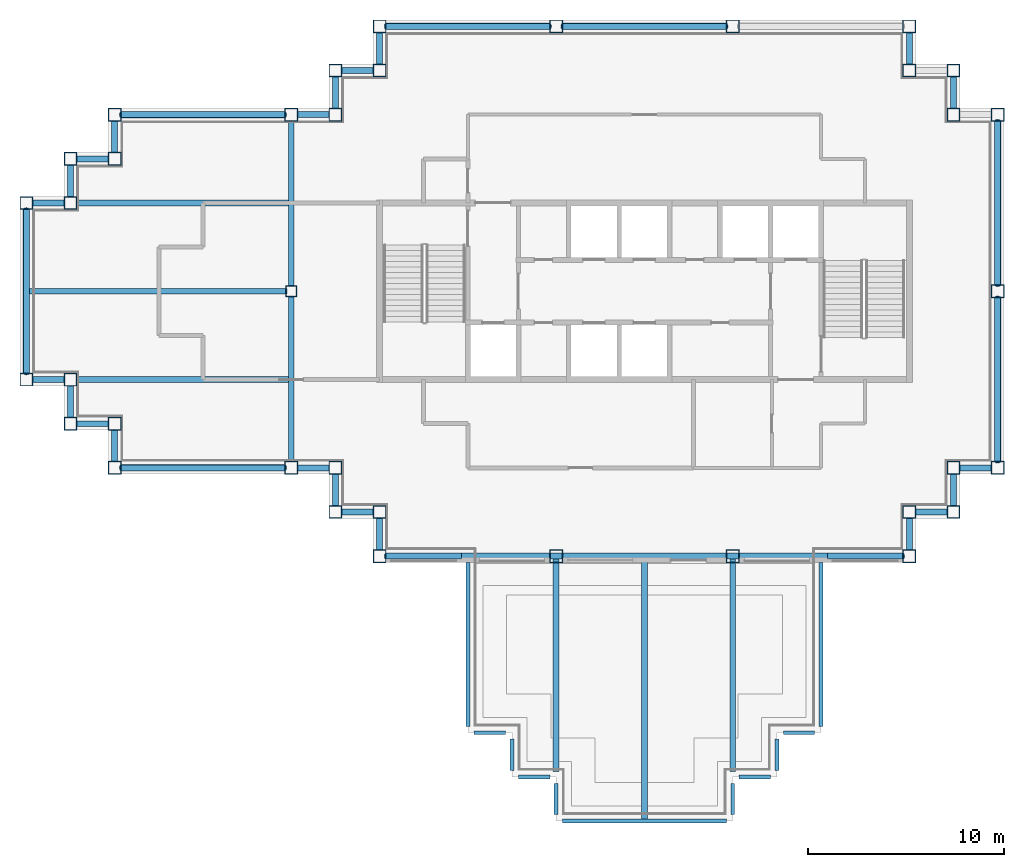
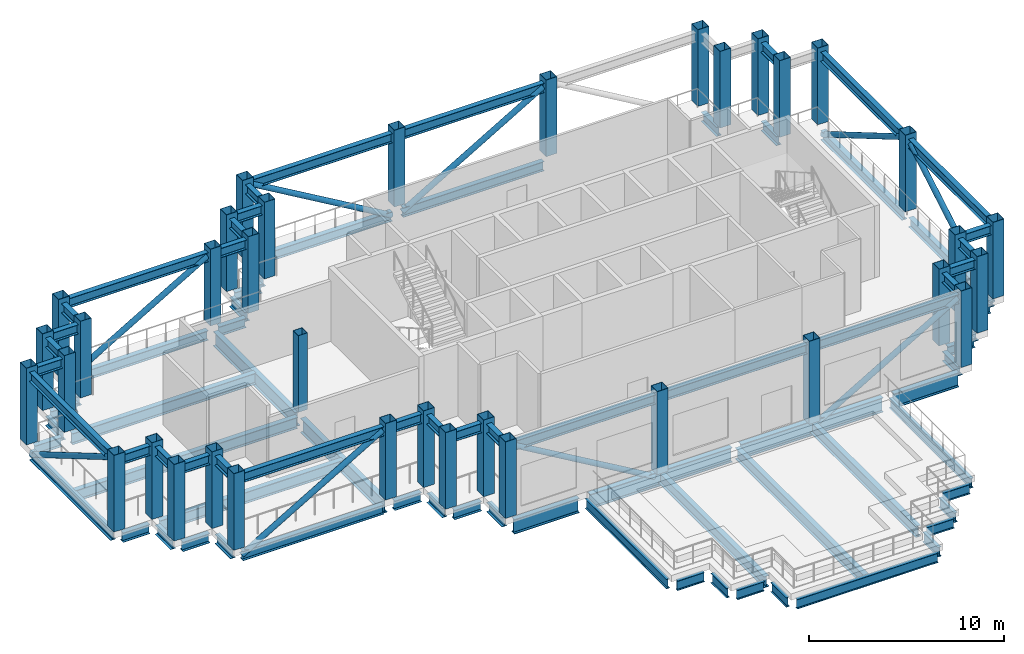
# One storey, part 1 of 10: 83 beams, 36 columns, 9 members.
"""IFC4 building model written with IfcOpenShell, lengths in metres."""

from ifc_helpers import new_model, si_unit, direction, frame, origin, origin_2d, place, context, subcontext, project, spatial, hollow_rectangle, hollow_circle, i_section, extrude, material, material_profile, profile_set, type_object, element, save


model = new_model("IFC4")

# Units and contexts
model_context = context("Model", 3, precision=1e-05, world=origin(), true_north=direction((0.0, 1.0)))
body_context = subcontext(model_context, "Body", "Model", "MODEL_VIEW")
ifc_project = project(units=[si_unit("LENGTHUNIT", "METRE"), si_unit("AREAUNIT", "SQUARE_METRE"), si_unit("VOLUMEUNIT", "CUBIC_METRE"), si_unit("PLANEANGLEUNIT", "RADIAN"), si_unit("MASSUNIT", "GRAM", prefix="KILO")], contexts=[model_context])

# Site, building, storey
site_placement = place(None, origin())
site = spatial("IfcSite", under=ifc_project, at=site_placement, CompositionType="ELEMENT")
building_placement = place(site_placement, origin())
building = spatial("IfcBuilding", under=site, at=building_placement, Name="Caravel Reach Hotel and Residences", CompositionType="ELEMENT")
storey_placement = place(building_placement, frame((0.0, 0.0, 233.10009765625)))
storey = spatial("IfcBuildingStorey", under=building, at=storey_placement, Name="L59", CompositionType="ELEMENT", Elevation=233.10009765625)

# Columns
ifc_material_1 = material(Name="Concrete-filled steel tube Q390B with Concrete C60 infill", Category="concrete")
ifc_material_profile_1 = material_profile(ifc_material_1, hollow_rectangle(XDim=0.550048828125, YDim=0.550048828125, WallThickness=0.01806640625, at=origin_2d()), Name="RHS 550x550x18")
ifc_profile_set_1 = profile_set([ifc_material_profile_1], Name="Concrete-filled steel tube Q390B with Concrete C60 infill")
column_type_1 = type_object("IfcColumnType", Name="CFT 550x550 Q390B C60", PredefinedType="COLUMN", material=ifc_profile_set_1)
column_placement = place(storey_placement, frame((13.5, 27.0, 0.0), z_axis=(0.0, 0.0, 1.0), x_axis=(1.0, 0.0, 0.0)))
element("IfcColumn", 1, at=column_placement, inside=storey, type_object=column_type_1, Name="C18 column", PredefinedType="COLUMN", context=body_context, shape_type="SweptSolid", body=[
    extrude(hollow_rectangle(XDim=0.550048828125, YDim=0.550048828125, WallThickness=0.01806640625, at=origin_2d()), origin(), (0.0, 0.0, 1.0), 4.7998046875),
])
ifc_material_2 = material(Name="Concrete-filled steel tube Q390B with Concrete C60 infill", Category="concrete")
ifc_material_profile_2 = material_profile(ifc_material_2, hollow_rectangle(XDim=0.64990234375, YDim=0.64990234375, WallThickness=0.02099609375, at=origin_2d()), Name="RHS 650x650x21")
ifc_profile_set_2 = profile_set([ifc_material_profile_2], Name="Concrete-filled steel tube Q390B with Concrete C60 infill")
column_type_2 = type_object("IfcColumnType", Name="CFT 650x650 Q390B C60", PredefinedType="COLUMN", material=ifc_profile_set_2)
for number, where, z_axis, x_axis, name in (
    (2, (15.75, 18.0, 0.0), (0.0, 0.0, 1.0), (1.0, 0.0, 0.0), "C15 column"),
    (3, (15.75, 15.75, 0.0), (0.0, 0.0, 1.0), (1.0, 0.0, 0.0), "C15 column"),
    (4, (18.0, 15.75, 0.0), (0.0, 0.0, 1.0), (1.0, 0.0, 0.0), "C15 column"),
    (5, (18.0, 13.5, 0.0), (0.0, 0.0, 1.0), (1.0, 0.0, 0.0), "C15 column"),
):
    element("IfcColumn", number, at=place(storey_placement, frame(where, z_axis=z_axis, x_axis=x_axis)), inside=storey, type_object=column_type_2, Name=name, PredefinedType="COLUMN", context=body_context, shape_type="SweptSolid", body=[
        extrude(hollow_rectangle(XDim=0.64990234375, YDim=0.64990234375, WallThickness=0.02099609375, at=origin_2d()), origin(), (0.0, 0.0, 1.0), 4.7998046875),
    ])
for number, where, z_axis, x_axis, name in (
    (6, (27.0, 13.5, -0.400146484375), (0.0, 0.0, 1.0), (1.0, 0.0, 0.0), "C15 column"),
    (7, (36.0, 13.5, -0.400146484375), (0.0, 0.0, 1.0), (1.0, 0.0, 0.0), "C15 column"),
):
    element("IfcColumn", number, at=place(storey_placement, frame(where, z_axis=z_axis, x_axis=x_axis)), inside=storey, type_object=column_type_2, Name=name, PredefinedType="COLUMN", context=body_context, shape_type="SweptSolid", body=[
        extrude(hollow_rectangle(XDim=0.64990234375, YDim=0.64990234375, WallThickness=0.02099609375, at=origin_2d()), origin(), (0.0, 0.0, 1.0), 5.199951171875),
    ])
for number, where, z_axis, x_axis, name in (
    (8, (45.0, 13.5, 0.0), (0.0, 0.0, 1.0), (1.0, 0.0, 0.0), "C15 column"),
    (9, (45.0, 15.75, 0.0), (0.0, 0.0, 1.0), (1.0, 0.0, 0.0), "C15 column"),
    (10, (47.25, 15.75, 0.0), (0.0, 0.0, 1.0), (1.0, 0.0, 0.0), "C15 column"),
    (11, (47.25, 18.0, 0.0), (0.0, 0.0, 1.0), (1.0, 0.0, 0.0), "C15 column"),
    (12, (49.5, 18.0, 0.0), (0.0, 0.0, 1.0), (1.0, 0.0, 0.0), "C15 column"),
    (13, (49.5, 27.0, 0.0), (0.0, 0.0, 1.0), (1.0, 0.0, 0.0), "C15 column"),
    (14, (49.5, 36.0, 0.0), (0.0, 0.0, 1.0), (1.0, 0.0, 0.0), "C15 column"),
    (15, (47.25, 36.0, 0.0), (0.0, 0.0, 1.0), (1.0, 0.0, 0.0), "C15 column"),
    (16, (47.25, 38.25, 0.0), (0.0, 0.0, 1.0), (1.0, 0.0, 0.0), "C15 column"),
    (17, (45.0, 38.25, 0.0), (0.0, 0.0, 1.0), (1.0, 0.0, 0.0), "C15 column"),
    (18, (45.0, 40.5, 0.0), (0.0, 0.0, 1.0), (1.0, 0.0, 0.0), "C15 column"),
    (19, (36.0, 40.5, 0.0), (0.0, 0.0, 1.0), (1.0, 0.0, 0.0), "C15 column"),
    (20, (27.0, 40.5, 0.0), (0.0, 0.0, 1.0), (1.0, 0.0, 0.0), "C15 column"),
    (21, (18.0, 40.5, 0.0), (0.0, 0.0, 1.0), (1.0, 0.0, 0.0), "C15 column"),
    (22, (18.0, 38.25, 0.0), (0.0, 0.0, 1.0), (1.0, 0.0, 0.0), "C15 column"),
    (23, (15.75, 38.25, 0.0), (0.0, 0.0, 1.0), (1.0, 0.0, 0.0), "C15 column"),
    (24, (15.75, 36.0, 0.0), (0.0, 0.0, 1.0), (1.0, 0.0, 0.0), "C15 column"),
    (25, (13.5, 36.0, 0.0), (0.0, 0.0, 1.0), (1.0, 0.0, 0.0), "C15 column"),
    (26, (4.5, 36.0, 0.0), (0.0, 0.0, 1.0), (1.0, 0.0, 0.0), "C15 column"),
    (27, (4.5, 33.75, 0.0), (0.0, 0.0, 1.0), (1.0, 0.0, 0.0), "C15 column"),
    (28, (2.25, 33.75, 0.0), (0.0, 0.0, 1.0), (1.0, 0.0, 0.0), "C15 column"),
    (29, (2.25, 31.5, 0.0), (0.0, 0.0, 1.0), (1.0, 0.0, 0.0), "C15 column"),
    (30, (0.0, 31.5, 0.0), (0.0, 0.0, 1.0), (1.0, 0.0, 0.0), "C15 column"),
    (31, (0.0, 22.5, 0.0), (0.0, 0.0, 1.0), (1.0, 0.0, 0.0), "C15 column"),
    (32, (2.25, 22.5, 0.0), (0.0, 0.0, 1.0), (1.0, 0.0, 0.0), "C15 column"),
    (33, (2.25, 20.25, 0.0), (0.0, 0.0, 1.0), (1.0, 0.0, 0.0), "C15 column"),
    (34, (4.5, 20.25, 0.0), (0.0, 0.0, 1.0), (1.0, 0.0, 0.0), "C15 column"),
    (35, (4.5, 18.0, 0.0), (0.0, 0.0, 1.0), (1.0, 0.0, 0.0), "C15 column"),
    (36, (13.5, 18.0, 0.0), (0.0, 0.0, 1.0), (1.0, 0.0, 0.0), "C15 column"),
):
    element("IfcColumn", number, at=place(storey_placement, frame(where, z_axis=z_axis, x_axis=x_axis)), inside=storey, type_object=column_type_2, Name=name, PredefinedType="COLUMN", context=body_context, shape_type="SweptSolid", body=[
        extrude(hollow_rectangle(XDim=0.64990234375, YDim=0.64990234375, WallThickness=0.02099609375, at=origin_2d()), origin(), (0.0, 0.0, 1.0), 4.7998046875),
    ])

# Beams
ifc_material_3 = material(Name="Structural steel Q355B", Category="steel")
ifc_material_profile_3 = material_profile(ifc_material_3, i_section(OverallWidth=0.300048828125, OverallDepth=0.587890625, WebThickness=0.011962890625, FlangeThickness=0.02001953125, FilletRadius=0.012939453125, at=origin_2d()), Name="HM 588x300x12x20")
ifc_profile_set_3 = profile_set([ifc_material_profile_3], Name="Structural steel Q355B")
beam_type_1 = type_object("IfcBeamType", Name="Beam HM 588x300x12x20", PredefinedType="BEAM", material=ifc_profile_set_3)
for number, where, z_axis, x_axis, name in (
    (37, (15.75, 17.675048828125, -0.694091796875), (0.0, -1.0, 0.0), (1.0, 0.0, 0.0), "Belt truss BT-L59 bottom chord"),
    (38, (15.75, 17.675048828125, 4.205810546875), (0.0, -1.0, 0.0), (1.0, 0.0, 0.0), "Belt truss BT-L59 top chord"),
    (39, (16.074951171875, 15.75, -0.694091796875), (1.0, 0.0, 0.0), (0.0, 1.0, 0.0), "Belt truss BT-L59 bottom chord"),
    (40, (16.074951171875, 15.75, 4.205810546875), (1.0, 0.0, 0.0), (0.0, 1.0, 0.0), "Belt truss BT-L59 top chord"),
    (41, (18.0, 15.425048828125, -0.694091796875), (0.0, -1.0, 0.0), (1.0, 0.0, 0.0), "Belt truss BT-L59 bottom chord"),
    (42, (18.0, 15.425048828125, 4.205810546875), (0.0, -1.0, 0.0), (1.0, 0.0, 0.0), "Belt truss BT-L59 top chord"),
):
    element("IfcBeam", number, at=place(storey_placement, frame(where, z_axis=z_axis, x_axis=x_axis)), inside=storey, type_object=beam_type_1, Name=name, PredefinedType="BEAM", context=body_context, shape_type="SweptSolid", body=[
        extrude(i_section(OverallWidth=0.300048828125, OverallDepth=0.587890625, WebThickness=0.011962890625, FlangeThickness=0.02001953125, FilletRadius=0.012939453125, at=origin_2d()), origin(), (0.0, 0.0, 1.0), 1.60009765625),
    ])
for number, where, z_axis, x_axis, name in (
    (43, (18.324951171875, 13.5, 4.205810546875), (1.0, 0.0, 0.0), (0.0, 1.0, 0.0), "Belt truss BT-L59 top chord"),
    (44, (27.324951171875, 13.5, 4.205810546875), (1.0, 0.0, 0.0), (0.0, 1.0, 0.0), "Belt truss BT-L59 top chord"),
    (45, (36.324951171875, 13.5, 4.205810546875), (1.0, 0.0, 0.0), (0.0, 1.0, 0.0), "Belt truss BT-L59 top chord"),
):
    element("IfcBeam", number, at=place(storey_placement, frame(where, z_axis=z_axis, x_axis=x_axis)), inside=storey, type_object=beam_type_1, Name=name, PredefinedType="BEAM", context=body_context, shape_type="SweptSolid", body=[
        extrude(i_section(OverallWidth=0.300048828125, OverallDepth=0.587890625, WebThickness=0.011962890625, FlangeThickness=0.02001953125, FilletRadius=0.012939453125, at=origin_2d()), origin(), (0.0, 0.0, 1.0), 8.35009765625),
    ])
for number, where, z_axis, x_axis, name in (
    (46, (45.0, 13.824951171875, -0.694091796875), (0.0, 1.0, 0.0), (-1.0, 0.0, 0.0), "Belt truss BT-L59 bottom chord"),
    (47, (45.0, 13.824951171875, 4.205810546875), (0.0, 1.0, 0.0), (-1.0, 0.0, 0.0), "Belt truss BT-L59 top chord"),
    (48, (45.324951171875, 15.75, -0.694091796875), (1.0, 0.0, 0.0), (0.0, 1.0, 0.0), "Belt truss BT-L59 bottom chord"),
    (49, (45.324951171875, 15.75, 4.205810546875), (1.0, 0.0, 0.0), (0.0, 1.0, 0.0), "Belt truss BT-L59 top chord"),
    (50, (47.25, 16.074951171875, -0.694091796875), (0.0, 1.0, 0.0), (-1.0, 0.0, 0.0), "Belt truss BT-L59 bottom chord"),
    (51, (47.25, 16.074951171875, 4.205810546875), (0.0, 1.0, 0.0), (-1.0, 0.0, 0.0), "Belt truss BT-L59 top chord"),
    (52, (47.574951171875, 18.0, -0.694091796875), (1.0, 0.0, 0.0), (0.0, 1.0, 0.0), "Belt truss BT-L59 bottom chord"),
    (53, (47.574951171875, 18.0, 4.205810546875), (1.0, 0.0, 0.0), (0.0, 1.0, 0.0), "Belt truss BT-L59 top chord"),
):
    element("IfcBeam", number, at=place(storey_placement, frame(where, z_axis=z_axis, x_axis=x_axis)), inside=storey, type_object=beam_type_1, Name=name, PredefinedType="BEAM", context=body_context, shape_type="SweptSolid", body=[
        extrude(i_section(OverallWidth=0.300048828125, OverallDepth=0.587890625, WebThickness=0.011962890625, FlangeThickness=0.02001953125, FilletRadius=0.012939453125, at=origin_2d()), origin(), (0.0, 0.0, 1.0), 1.60009765625),
    ])
for number, where, z_axis, x_axis, name in (
    (54, (49.5, 18.324951171875, -0.694091796875), (0.0, 1.0, 0.0), (-1.0, 0.0, 0.0), "Belt truss BT-L59 bottom chord"),
    (55, (49.5, 18.324951171875, 4.205810546875), (0.0, 1.0, 0.0), (-1.0, 0.0, 0.0), "Belt truss BT-L59 top chord"),
    (56, (49.5, 27.324951171875, -0.694091796875), (0.0, 1.0, 0.0), (-1.0, 0.0, 0.0), "Belt truss BT-L59 bottom chord"),
    (57, (49.5, 27.324951171875, 4.205810546875), (0.0, 1.0, 0.0), (-1.0, 0.0, 0.0), "Belt truss BT-L59 top chord"),
):
    element("IfcBeam", number, at=place(storey_placement, frame(where, z_axis=z_axis, x_axis=x_axis)), inside=storey, type_object=beam_type_1, Name=name, PredefinedType="BEAM", context=body_context, shape_type="SweptSolid", body=[
        extrude(i_section(OverallWidth=0.300048828125, OverallDepth=0.587890625, WebThickness=0.011962890625, FlangeThickness=0.02001953125, FilletRadius=0.012939453125, at=origin_2d()), origin(), (0.0, 0.0, 1.0), 8.35009765625),
    ])
for number, where, z_axis, x_axis, name in (
    (58, (47.25, 36.324951171875, -0.694091796875), (0.0, 1.0, 0.0), (-1.0, 0.0, 0.0), "Belt truss BT-L59 bottom chord"),
    (59, (47.25, 36.324951171875, 4.205810546875), (0.0, 1.0, 0.0), (-1.0, 0.0, 0.0), "Belt truss BT-L59 top chord"),
    (60, (45.0, 38.574951171875, -0.694091796875), (0.0, 1.0, 0.0), (-1.0, 0.0, 0.0), "Belt truss BT-L59 bottom chord"),
):
    element("IfcBeam", number, at=place(storey_placement, frame(where, z_axis=z_axis, x_axis=x_axis)), inside=storey, type_object=beam_type_1, Name=name, PredefinedType="BEAM", context=body_context, shape_type="SweptSolid", body=[
        extrude(i_section(OverallWidth=0.300048828125, OverallDepth=0.587890625, WebThickness=0.011962890625, FlangeThickness=0.02001953125, FilletRadius=0.012939453125, at=origin_2d()), origin(), (0.0, 0.0, 1.0), 1.60009765625),
    ])
for number, where, z_axis, x_axis, name in (
    (61, (35.675048828125, 40.5, -0.694091796875), (-1.0, 0.0, 0.0), (0.0, -1.0, 0.0), "Belt truss BT-L59 bottom chord"),
    (62, (35.675048828125, 40.5, 4.205810546875), (-1.0, 0.0, 0.0), (0.0, -1.0, 0.0), "Belt truss BT-L59 top chord"),
    (63, (26.675048828125, 40.5, -0.694091796875), (-1.0, 0.0, 0.0), (0.0, -1.0, 0.0), "Belt truss BT-L59 bottom chord"),
    (64, (26.675048828125, 40.5, 4.205810546875), (-1.0, 0.0, 0.0), (0.0, -1.0, 0.0), "Belt truss BT-L59 top chord"),
):
    element("IfcBeam", number, at=place(storey_placement, frame(where, z_axis=z_axis, x_axis=x_axis)), inside=storey, type_object=beam_type_1, Name=name, PredefinedType="BEAM", context=body_context, shape_type="SweptSolid", body=[
        extrude(i_section(OverallWidth=0.300048828125, OverallDepth=0.587890625, WebThickness=0.011962890625, FlangeThickness=0.02001953125, FilletRadius=0.012939453125, at=origin_2d()), origin(), (0.0, 0.0, 1.0), 8.35009765625),
    ])
for number, where, z_axis, x_axis, name in (
    (65, (18.0, 40.175048828125, -0.694091796875), (0.0, -1.0, 0.0), (1.0, 0.0, 0.0), "Belt truss BT-L59 bottom chord"),
    (66, (18.0, 40.175048828125, 4.205810546875), (0.0, -1.0, 0.0), (1.0, 0.0, 0.0), "Belt truss BT-L59 top chord"),
    (67, (17.675048828125, 38.25, -0.694091796875), (-1.0, 0.0, 0.0), (0.0, -1.0, 0.0), "Belt truss BT-L59 bottom chord"),
    (68, (17.675048828125, 38.25, 4.205810546875), (-1.0, 0.0, 0.0), (0.0, -1.0, 0.0), "Belt truss BT-L59 top chord"),
    (69, (15.75, 37.925048828125, -0.694091796875), (0.0, -1.0, 0.0), (1.0, 0.0, 0.0), "Belt truss BT-L59 bottom chord"),
    (70, (15.75, 37.925048828125, 4.205810546875), (0.0, -1.0, 0.0), (1.0, 0.0, 0.0), "Belt truss BT-L59 top chord"),
    (71, (15.425048828125, 36.0, -0.694091796875), (-1.0, 0.0, 0.0), (0.0, -1.0, 0.0), "Belt truss BT-L59 bottom chord"),
    (72, (15.425048828125, 36.0, 4.205810546875), (-1.0, 0.0, 0.0), (0.0, -1.0, 0.0), "Belt truss BT-L59 top chord"),
):
    element("IfcBeam", number, at=place(storey_placement, frame(where, z_axis=z_axis, x_axis=x_axis)), inside=storey, type_object=beam_type_1, Name=name, PredefinedType="BEAM", context=body_context, shape_type="SweptSolid", body=[
        extrude(i_section(OverallWidth=0.300048828125, OverallDepth=0.587890625, WebThickness=0.011962890625, FlangeThickness=0.02001953125, FilletRadius=0.012939453125, at=origin_2d()), origin(), (0.0, 0.0, 1.0), 1.60009765625),
    ])
for number, where, z_axis, x_axis, name in (
    (73, (13.175048828125, 36.0, -0.694091796875), (-1.0, 0.0, 0.0), (0.0, -1.0, 0.0), "Belt truss BT-L59 bottom chord"),
    (74, (13.175048828125, 36.0, 4.205810546875), (-1.0, 0.0, 0.0), (0.0, -1.0, 0.0), "Belt truss BT-L59 top chord"),
):
    element("IfcBeam", number, at=place(storey_placement, frame(where, z_axis=z_axis, x_axis=x_axis)), inside=storey, type_object=beam_type_1, Name=name, PredefinedType="BEAM", context=body_context, shape_type="SweptSolid", body=[
        extrude(i_section(OverallWidth=0.300048828125, OverallDepth=0.587890625, WebThickness=0.011962890625, FlangeThickness=0.02001953125, FilletRadius=0.012939453125, at=origin_2d()), origin(), (0.0, 0.0, 1.0), 8.35009765625),
    ])
for number, where, z_axis, x_axis, name in (
    (75, (4.5, 35.675048828125, -0.694091796875), (0.0, -1.0, 0.0), (1.0, 0.0, 0.0), "Belt truss BT-L59 bottom chord"),
    (76, (4.5, 35.675048828125, 4.205810546875), (0.0, -1.0, 0.0), (1.0, 0.0, 0.0), "Belt truss BT-L59 top chord"),
    (77, (4.175048828125, 33.75, -0.694091796875), (-1.0, 0.0, 0.0), (0.0, -1.0, 0.0), "Belt truss BT-L59 bottom chord"),
    (78, (4.175048828125, 33.75, 4.205810546875), (-1.0, 0.0, 0.0), (0.0, -1.0, 0.0), "Belt truss BT-L59 top chord"),
    (79, (2.25, 33.425048828125, -0.694091796875), (0.0, -1.0, 0.0), (1.0, 0.0, 0.0), "Belt truss BT-L59 bottom chord"),
    (80, (2.25, 33.425048828125, 4.205810546875), (0.0, -1.0, 0.0), (1.0, 0.0, 0.0), "Belt truss BT-L59 top chord"),
    (81, (1.925048828125, 31.5, -0.694091796875), (-1.0, 0.0, 0.0), (0.0, -1.0, 0.0), "Belt truss BT-L59 bottom chord"),
    (82, (1.925048828125, 31.5, 4.205810546875), (-1.0, 0.0, 0.0), (0.0, -1.0, 0.0), "Belt truss BT-L59 top chord"),
):
    element("IfcBeam", number, at=place(storey_placement, frame(where, z_axis=z_axis, x_axis=x_axis)), inside=storey, type_object=beam_type_1, Name=name, PredefinedType="BEAM", context=body_context, shape_type="SweptSolid", body=[
        extrude(i_section(OverallWidth=0.300048828125, OverallDepth=0.587890625, WebThickness=0.011962890625, FlangeThickness=0.02001953125, FilletRadius=0.012939453125, at=origin_2d()), origin(), (0.0, 0.0, 1.0), 1.60009765625),
    ])
for number, where, z_axis, x_axis, name in (
    (83, (0.0, 31.175048828125, -0.694091796875), (0.0, -1.0, 0.0), (1.0, 0.0, 0.0), "Belt truss BT-L59 bottom chord"),
    (84, (0.0, 31.175048828125, 4.205810546875), (0.0, -1.0, 0.0), (1.0, 0.0, 0.0), "Belt truss BT-L59 top chord"),
):
    element("IfcBeam", number, at=place(storey_placement, frame(where, z_axis=z_axis, x_axis=x_axis)), inside=storey, type_object=beam_type_1, Name=name, PredefinedType="BEAM", context=body_context, shape_type="SweptSolid", body=[
        extrude(i_section(OverallWidth=0.300048828125, OverallDepth=0.587890625, WebThickness=0.011962890625, FlangeThickness=0.02001953125, FilletRadius=0.012939453125, at=origin_2d()), origin(), (0.0, 0.0, 1.0), 8.35009765625),
    ])
for number, where, z_axis, x_axis, name in (
    (85, (0.324951171875, 22.5, -0.694091796875), (1.0, 0.0, 0.0), (0.0, 1.0, 0.0), "Belt truss BT-L59 bottom chord"),
    (86, (0.324951171875, 22.5, 4.205810546875), (1.0, 0.0, 0.0), (0.0, 1.0, 0.0), "Belt truss BT-L59 top chord"),
    (87, (2.25, 22.175048828125, -0.694091796875), (0.0, -1.0, 0.0), (1.0, 0.0, 0.0), "Belt truss BT-L59 bottom chord"),
    (88, (2.25, 22.175048828125, 4.205810546875), (0.0, -1.0, 0.0), (1.0, 0.0, 0.0), "Belt truss BT-L59 top chord"),
    (89, (2.574951171875, 20.25, -0.694091796875), (1.0, 0.0, 0.0), (0.0, 1.0, 0.0), "Belt truss BT-L59 bottom chord"),
    (90, (2.574951171875, 20.25, 4.205810546875), (1.0, 0.0, 0.0), (0.0, 1.0, 0.0), "Belt truss BT-L59 top chord"),
    (91, (4.5, 19.925048828125, -0.694091796875), (0.0, -1.0, 0.0), (1.0, 0.0, 0.0), "Belt truss BT-L59 bottom chord"),
    (92, (4.5, 19.925048828125, 4.205810546875), (0.0, -1.0, 0.0), (1.0, 0.0, 0.0), "Belt truss BT-L59 top chord"),
):
    element("IfcBeam", number, at=place(storey_placement, frame(where, z_axis=z_axis, x_axis=x_axis)), inside=storey, type_object=beam_type_1, Name=name, PredefinedType="BEAM", context=body_context, shape_type="SweptSolid", body=[
        extrude(i_section(OverallWidth=0.300048828125, OverallDepth=0.587890625, WebThickness=0.011962890625, FlangeThickness=0.02001953125, FilletRadius=0.012939453125, at=origin_2d()), origin(), (0.0, 0.0, 1.0), 1.60009765625),
    ])
for number, where, z_axis, x_axis, name in (
    (93, (4.824951171875, 18.0, -0.694091796875), (1.0, 0.0, 0.0), (0.0, 1.0, 0.0), "Belt truss BT-L59 bottom chord"),
    (94, (4.824951171875, 18.0, 4.205810546875), (1.0, 0.0, 0.0), (0.0, 1.0, 0.0), "Belt truss BT-L59 top chord"),
):
    element("IfcBeam", number, at=place(storey_placement, frame(where, z_axis=z_axis, x_axis=x_axis)), inside=storey, type_object=beam_type_1, Name=name, PredefinedType="BEAM", context=body_context, shape_type="SweptSolid", body=[
        extrude(i_section(OverallWidth=0.300048828125, OverallDepth=0.587890625, WebThickness=0.011962890625, FlangeThickness=0.02001953125, FilletRadius=0.012939453125, at=origin_2d()), origin(), (0.0, 0.0, 1.0), 8.35009765625),
    ])
for number, where, z_axis, x_axis, name in (
    (95, (13.824951171875, 18.0, -0.694091796875), (1.0, 0.0, 0.0), (0.0, 1.0, 0.0), "Belt truss BT-L59 bottom chord"),
    (96, (13.824951171875, 18.0, 4.205810546875), (1.0, 0.0, 0.0), (0.0, 1.0, 0.0), "Belt truss BT-L59 top chord"),
):
    element("IfcBeam", number, at=place(storey_placement, frame(where, z_axis=z_axis, x_axis=x_axis)), inside=storey, type_object=beam_type_1, Name=name, PredefinedType="BEAM", context=body_context, shape_type="SweptSolid", body=[
        extrude(i_section(OverallWidth=0.300048828125, OverallDepth=0.587890625, WebThickness=0.011962890625, FlangeThickness=0.02001953125, FilletRadius=0.012939453125, at=origin_2d()), origin(), (0.0, 0.0, 1.0), 1.60009765625),
    ])
ifc_material_4 = material(Name="Structural steel Q355B", Category="steel")
ifc_material_profile_4 = material_profile(ifc_material_4, i_section(OverallWidth=0.300048828125, OverallDepth=0.699951171875, WebThickness=0.012939453125, FlangeThickness=0.02392578125, FilletRadius=0.01806640625, at=origin_2d()), Name="HN 700x300x13x24")
ifc_profile_set_4 = profile_set([ifc_material_profile_4], Name="Structural steel Q355B")
beam_type_2 = type_object("IfcBeamType", Name="Beam HN 700x300x13x24", PredefinedType="BEAM", material=ifc_profile_set_4)
beam_1_placement = place(storey_placement, frame((13.39990234375, 22.5, -0.75), z_axis=(-1.0, 0.0, 0.0), x_axis=(0.0, -1.0, 0.0)))
element("IfcBeam", 97, at=beam_1_placement, inside=storey, type_object=beam_type_2, Name="B2 HN 700x300x13x24", PredefinedType="BEAM", context=body_context, shape_type="SweptSolid", body=[
    extrude(i_section(OverallWidth=0.300048828125, OverallDepth=0.699951171875, WebThickness=0.012939453125, FlangeThickness=0.02392578125, FilletRadius=0.01806640625, at=origin_2d()), origin(), (0.0, 0.0, 1.0), 10.875),
])
beam_2_placement = place(storey_placement, frame((13.27490234375, 27.0, -0.75), z_axis=(-1.0, 0.0, 0.0), x_axis=(0.0, -1.0, 0.0)))
element("IfcBeam", 98, at=beam_2_placement, inside=storey, type_object=beam_type_2, Name="B2 HN 700x300x13x24", PredefinedType="BEAM", context=body_context, shape_type="SweptSolid", body=[
    extrude(i_section(OverallWidth=0.300048828125, OverallDepth=0.699951171875, WebThickness=0.012939453125, FlangeThickness=0.02392578125, FilletRadius=0.01806640625, at=origin_2d()), origin(), (0.0, 0.0, 1.0), 13.1748046875),
])
for number, where, z_axis, x_axis, name in (
    (99, (13.39990234375, 31.5, -0.75), (-1.0, 0.0, 0.0), (0.0, -1.0, 0.0), "B2 HN 700x300x13x24"),
    (100, (27.0, 13.39990234375, -0.75), (0.0, -1.0, 0.0), (1.0, 0.0, 0.0), "B2 HN 700x300x13x24"),
):
    element("IfcBeam", number, at=place(storey_placement, frame(where, z_axis=z_axis, x_axis=x_axis)), inside=storey, type_object=beam_type_2, Name=name, PredefinedType="BEAM", context=body_context, shape_type="SweptSolid", body=[
        extrude(i_section(OverallWidth=0.300048828125, OverallDepth=0.699951171875, WebThickness=0.012939453125, FlangeThickness=0.02392578125, FilletRadius=0.01806640625, at=origin_2d()), origin(), (0.0, 0.0, 1.0), 10.875),
    ])
beam_3_placement = place(storey_placement, frame((31.5, 13.27490234375, -0.75), z_axis=(0.0, -1.0, 0.0), x_axis=(1.0, 0.0, 0.0)))
element("IfcBeam", 101, at=beam_3_placement, inside=storey, type_object=beam_type_2, Name="B2 HN 700x300x13x24", PredefinedType="BEAM", context=body_context, shape_type="SweptSolid", body=[
    extrude(i_section(OverallWidth=0.300048828125, OverallDepth=0.699951171875, WebThickness=0.012939453125, FlangeThickness=0.02392578125, FilletRadius=0.01806640625, at=origin_2d()), origin(), (0.0, 0.0, 1.0), 13.1748046875),
])
beam_4_placement = place(storey_placement, frame((36.0, 13.39990234375, -0.75), z_axis=(0.0, -1.0, 0.0), x_axis=(1.0, 0.0, 0.0)))
element("IfcBeam", 102, at=beam_4_placement, inside=storey, type_object=beam_type_2, Name="B2 HN 700x300x13x24", PredefinedType="BEAM", context=body_context, shape_type="SweptSolid", body=[
    extrude(i_section(OverallWidth=0.300048828125, OverallDepth=0.699951171875, WebThickness=0.012939453125, FlangeThickness=0.02392578125, FilletRadius=0.01806640625, at=origin_2d()), origin(), (0.0, 0.0, 1.0), 10.875),
])
ifc_material_5 = material(Name="Structural steel Q355B", Category="steel")
ifc_material_profile_5 = material_profile(ifc_material_5, i_section(OverallWidth=0.300048828125, OverallDepth=0.89990234375, WebThickness=0.01611328125, FlangeThickness=0.028076171875, FilletRadius=0.01806640625, at=origin_2d()), Name="HN 900x300x16x28")
ifc_profile_set_5 = profile_set([ifc_material_profile_5], Name="Structural steel Q355B")
beam_type_3 = type_object("IfcBeamType", Name="Beam HN 900x300x16x28", PredefinedType="BEAM", material=ifc_profile_set_5)
for number, where, z_axis, x_axis, name in (
    (103, (13.5, 18.324951171875, -0.85009765625), (0.0, 1.0, 0.0), (-1.0, 0.0, 0.0), "B3 HN 900x300x16x28"),
    (104, (13.5, 27.27490234375, -0.85009765625), (0.0, 1.0, 0.0), (-1.0, 0.0, 0.0), "B3 HN 900x300x16x28"),
):
    element("IfcBeam", number, at=place(storey_placement, frame(where, z_axis=z_axis, x_axis=x_axis)), inside=storey, type_object=beam_type_3, Name=name, PredefinedType="BEAM", context=body_context, shape_type="SweptSolid", body=[
        extrude(i_section(OverallWidth=0.300048828125, OverallDepth=0.89990234375, WebThickness=0.01611328125, FlangeThickness=0.028076171875, FilletRadius=0.01806640625, at=origin_2d()), origin(), (0.0, 0.0, 1.0), 8.400146484375),
    ])
ifc_material_6 = material(Name="Structural steel Q355B", Category="steel")
ifc_material_profile_6 = material_profile(ifc_material_6, i_section(OverallWidth=0.302001953125, OverallDepth=0.912109375, WebThickness=0.01806640625, FlangeThickness=0.033935546875, FilletRadius=0.01806640625, at=origin_2d()), Name="HN 900x300x18x34")
ifc_profile_set_6 = profile_set([ifc_material_profile_6], Name="Structural steel Q355B")
beam_type_4 = type_object("IfcBeamType", Name="Beam HN 900x300x18x34", PredefinedType="BEAM", material=ifc_profile_set_6)
beam_5_placement = place(storey_placement, frame((18.324951171875, 13.5, -0.856201171875), z_axis=(1.0, 0.0, 0.0), x_axis=(0.0, 1.0, 0.0)))
element("IfcBeam", 105, at=beam_5_placement, inside=storey, type_object=beam_type_4, Name="Transfer girder TG-L59-1", PredefinedType="BEAM", context=body_context, shape_type="SweptSolid", body=[
    extrude(i_section(OverallWidth=0.302001953125, OverallDepth=0.912109375, WebThickness=0.01806640625, FlangeThickness=0.033935546875, FilletRadius=0.01806640625, at=origin_2d()), origin(), (0.0, 0.0, 1.0), 3.85009765625),
])
for number, where, z_axis, x_axis, name in (
    (106, (22.824951171875, 13.5, -0.856201171875), (1.0, 0.0, 0.0), (0.0, 1.0, 0.0), "Transfer girder TG-L59-2"),
    (107, (31.77490234375, 13.5, -0.856201171875), (1.0, 0.0, 0.0), (0.0, 1.0, 0.0), "Transfer girder TG-L59-3"),
):
    element("IfcBeam", number, at=place(storey_placement, frame(where, z_axis=z_axis, x_axis=x_axis)), inside=storey, type_object=beam_type_4, Name=name, PredefinedType="BEAM", context=body_context, shape_type="SweptSolid", body=[
        extrude(i_section(OverallWidth=0.302001953125, OverallDepth=0.912109375, WebThickness=0.01806640625, FlangeThickness=0.033935546875, FilletRadius=0.01806640625, at=origin_2d()), origin(), (0.0, 0.0, 1.0), 8.400146484375),
    ])
beam_6_placement = place(storey_placement, frame((40.824951171875, 13.5, -0.856201171875), z_axis=(1.0, 0.0, 0.0), x_axis=(0.0, 1.0, 0.0)))
element("IfcBeam", 108, at=beam_6_placement, inside=storey, type_object=beam_type_4, Name="Transfer girder TG-L59-4", PredefinedType="BEAM", context=body_context, shape_type="SweptSolid", body=[
    extrude(i_section(OverallWidth=0.302001953125, OverallDepth=0.912109375, WebThickness=0.01806640625, FlangeThickness=0.033935546875, FilletRadius=0.01806640625, at=origin_2d()), origin(), (0.0, 0.0, 1.0), 3.85009765625),
])

# Members
ifc_material_7 = material(Name="Structural steel Q390B", Category="steel")
ifc_material_profile_7 = material_profile(ifc_material_7, hollow_circle(Radius=0.16259765625, WallThickness=0.011962890625, at=origin_2d()), Name="CHS 325x12")
ifc_profile_set_7 = profile_set([ifc_material_profile_7], Name="Structural steel Q390B")
member_type = type_object("IfcMemberType", Name="Brace CHS 325x12", PredefinedType="BRACE", material=ifc_profile_set_7)
for number, where, z_axis, x_axis, name in (
    (109, (26.675048828125, 13.5, -0.694091796875), (-0.862471778893, 0.0, 0.506105157663), (0.0, -1.0, 0.0), "Belt truss BT-L59 diagonal"),
    (110, (36.324951171875, 13.5, -0.694091796875), (0.862471778893, 0.0, 0.506105157663), (0.0, 1.0, 0.0), "Belt truss BT-L59 diagonal"),
    (111, (49.5, 18.324951171875, -0.694091796875), (0.0, 0.862471778893, 0.506105157663), (-1.0, 0.0, 0.0), "Belt truss BT-L59 diagonal"),
    (112, (49.5, 35.675048828125, -0.694091796875), (0.0, -0.862471778893, 0.506105157663), (1.0, 0.0, 0.0), "Belt truss BT-L59 diagonal"),
    (113, (27.324951171875, 40.5, -0.694091796875), (0.862471778893, 0.0, 0.506105157663), (0.0, 1.0, 0.0), "Belt truss BT-L59 diagonal"),
    (114, (26.675048828125, 40.5, -0.694091796875), (-0.862471778893, 0.0, 0.506105157663), (0.0, -1.0, 0.0), "Belt truss BT-L59 diagonal"),
    (115, (4.824951171875, 36.0, -0.694091796875), (0.862471778893, 0.0, 0.506105157663), (0.0, 1.0, 0.0), "Belt truss BT-L59 diagonal"),
    (116, (0.0, 31.175048828125, -0.694091796875), (0.0, -0.862471778893, 0.506105157663), (1.0, 0.0, 0.0), "Belt truss BT-L59 diagonal"),
    (117, (4.824951171875, 18.0, -0.694091796875), (0.862471778893, 0.0, 0.506105157663), (0.0, 1.0, 0.0), "Belt truss BT-L59 diagonal"),
):
    element("IfcMember", number, at=place(storey_placement, frame(where, z_axis=z_axis, x_axis=x_axis)), inside=storey, type_object=member_type, Name=name, PredefinedType="BRACE", context=body_context, shape_type="SweptSolid", body=[
        extrude(hollow_circle(Radius=0.16259765625, WallThickness=0.011962890625, at=origin_2d()), origin(), (0.0, 0.0, 1.0), 9.681640625),
    ])

# Beams
ifc_material_8 = material(Name="Structural steel Q355B", Category="steel")
ifc_material_profile_8 = material_profile(ifc_material_8, i_section(OverallWidth=0.199951171875, OverallDepth=0.60009765625, WebThickness=0.010986328125, FlangeThickness=0.01708984375, FilletRadius=0.012939453125, at=origin_2d()), Name="HN 600x200x11x17")
ifc_profile_set_8 = profile_set([ifc_material_profile_8], Name="Structural steel Q355B")
beam_type_5 = type_object("IfcBeamType", Name="Edge beam HN 600x200x11x17", PredefinedType="USERDEFINED", material=ifc_profile_set_8)
for number, where, z_axis, x_axis, name in (
    (118, (40.5, 4.824951171875, -0.7001953125), (0.0, 1.0, 0.0), (-1.0, 0.0, 0.0), "EB1 HN 600x200x11x17"),
    (119, (22.5, 13.175048828125, -0.7001953125), (0.0, -1.0, 0.0), (1.0, 0.0, 0.0), "EB1 HN 600x200x11x17"),
):
    element("IfcBeam", number, at=place(storey_placement, frame(where, z_axis=z_axis, x_axis=x_axis)), inside=storey, type_object=beam_type_5, Name=name, ObjectType="Edge beam", PredefinedType="USERDEFINED", context=body_context, shape_type="SweptSolid", body=[
        extrude(i_section(OverallWidth=0.199951171875, OverallDepth=0.60009765625, WebThickness=0.010986328125, FlangeThickness=0.01708984375, FilletRadius=0.012939453125, at=origin_2d()), origin(), (0.0, 0.0, 1.0), 8.35009765625),
    ])
for number, where, z_axis, x_axis, name in (
    (120, (22.824951171875, 4.5, -0.7001953125), (1.0, 0.0, 0.0), (0.0, 1.0, 0.0), "EB1 HN 600x200x11x17"),
    (121, (24.75, 4.175048828125, -0.7001953125), (0.0, -1.0, 0.0), (1.0, 0.0, 0.0), "EB1 HN 600x200x11x17"),
    (122, (25.074951171875, 2.25, -0.7001953125), (1.0, 0.0, 0.0), (0.0, 1.0, 0.0), "EB1 HN 600x200x11x17"),
    (123, (27.0, 1.925048828125, -0.7001953125), (0.0, -1.0, 0.0), (1.0, 0.0, 0.0), "EB1 HN 600x200x11x17"),
):
    element("IfcBeam", number, at=place(storey_placement, frame(where, z_axis=z_axis, x_axis=x_axis)), inside=storey, type_object=beam_type_5, Name=name, ObjectType="Edge beam", PredefinedType="USERDEFINED", context=body_context, shape_type="SweptSolid", body=[
        extrude(i_section(OverallWidth=0.199951171875, OverallDepth=0.60009765625, WebThickness=0.010986328125, FlangeThickness=0.01708984375, FilletRadius=0.012939453125, at=origin_2d()), origin(), (0.0, 0.0, 1.0), 1.60009765625),
    ])
beam_7_placement = place(storey_placement, frame((27.324951171875, 0.0, -0.7001953125), z_axis=(1.0, 0.0, 0.0), x_axis=(0.0, 1.0, 0.0)))
element("IfcBeam", 124, at=beam_7_placement, inside=storey, type_object=beam_type_5, Name="EB1 HN 600x200x11x17", ObjectType="Edge beam", PredefinedType="USERDEFINED", context=body_context, shape_type="SweptSolid", body=[
    extrude(i_section(OverallWidth=0.199951171875, OverallDepth=0.60009765625, WebThickness=0.010986328125, FlangeThickness=0.01708984375, FilletRadius=0.012939453125, at=origin_2d()), origin(), (0.0, 0.0, 1.0), 8.35009765625),
])
for number, where, z_axis, x_axis, name in (
    (125, (36.0, 0.324951171875, -0.7001953125), (0.0, 1.0, 0.0), (-1.0, 0.0, 0.0), "EB1 HN 600x200x11x17"),
    (126, (36.324951171875, 2.25, -0.7001953125), (1.0, 0.0, 0.0), (0.0, 1.0, 0.0), "EB1 HN 600x200x11x17"),
    (127, (38.25, 2.574951171875, -0.7001953125), (0.0, 1.0, 0.0), (-1.0, 0.0, 0.0), "EB1 HN 600x200x11x17"),
    (128, (38.574951171875, 4.5, -0.7001953125), (1.0, 0.0, 0.0), (0.0, 1.0, 0.0), "EB1 HN 600x200x11x17"),
):
    element("IfcBeam", number, at=place(storey_placement, frame(where, z_axis=z_axis, x_axis=x_axis)), inside=storey, type_object=beam_type_5, Name=name, ObjectType="Edge beam", PredefinedType="USERDEFINED", context=body_context, shape_type="SweptSolid", body=[
        extrude(i_section(OverallWidth=0.199951171875, OverallDepth=0.60009765625, WebThickness=0.010986328125, FlangeThickness=0.01708984375, FilletRadius=0.012939453125, at=origin_2d()), origin(), (0.0, 0.0, 1.0), 1.60009765625),
    ])

save(model, "model.ifc")
